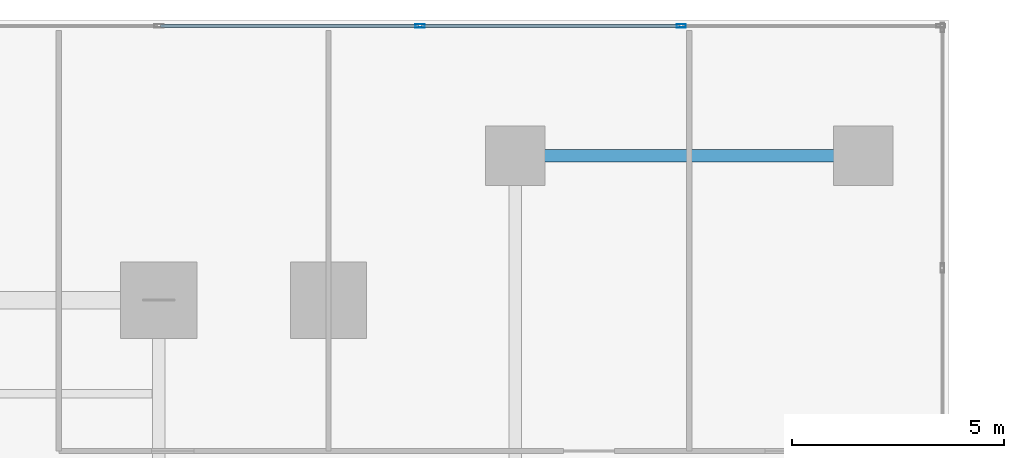
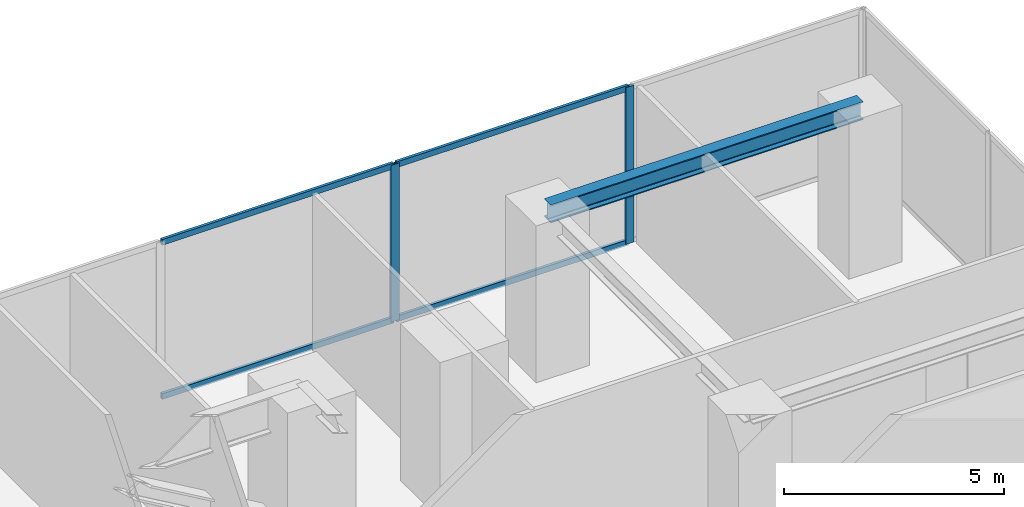
# One storey, part 4 of 18: 6 members, 1 beam, 1 element without a shape of its own.
"""IFC4 building model written with IfcOpenShell, lengths in metres."""

import ifcopenshell
import ifcopenshell.guid

model = None  # the IFC model being written
_history = None  # IfcOwnerHistory: only IFC2X3 demands one
_inside = {}  # id of a spatial element -> (the spatial element, [elements in it])
_under = {}  # id of a project, library or spatial element -> (it, [spatial elements below it])
_declared = {}  # id of a project -> (the project, [libraries it declares])
_typed = {}  # id of a type object -> (the type object, [elements of that type])
_made_of = {}  # id of a material, layer set ... -> (it, [elements and type objects made of it])


def new_model(schema):
    """Start an empty IFC model of exactly this schema.

    Asked for "IFC4X3", IfcOpenShell would pick the latest addendum, in which some entities
    have other attributes; the version numbers below select the first issue.
    IFC2X3 requires an IfcOwnerHistory on every rooted entity: one is made here for all.
    """
    global model, _history
    if schema == "IFC4X3":
        model = ifcopenshell.file(schema_version=(4, 3, 0, 0))
    else:
        model = ifcopenshell.file(schema=schema)
    _inside.clear()
    _under.clear()
    _declared.clear()
    _typed.clear()
    _made_of.clear()
    _history = None
    if model.schema == "IFC2X3":
        org = make("IfcOrganization", Name="unknown")
        user = make(
            "IfcPersonAndOrganization",
            ThePerson=make("IfcPerson", FamilyName="unknown"),
            TheOrganization=org,
        )
        app = make(
            "IfcApplication",
            ApplicationDeveloper=org,
            Version="unknown",
            ApplicationFullName="unknown",
            ApplicationIdentifier="unknown",
        )
        _history = make(
            "IfcOwnerHistory",
            OwningUser=user,
            OwningApplication=app,
            ChangeAction="ADDED",
            CreationDate=0,
        )
    return model


def make(cls, **values):
    """One entity of the class cls with the attributes given. An attribute that is None is left unset."""
    return model.create_entity(
        cls, **{name: value for name, value in values.items() if value is not None}
    )


def rooted(cls, **values):
    """An entity with a GlobalId (a new one), such as an element, a storey or a relation."""
    return make(cls, GlobalId=ifcopenshell.guid.new(), OwnerHistory=_history, **values)


def si_unit(unit_type, name, prefix=None):
    """IfcSIUnit, for example si_unit("LENGTHUNIT", "METRE", prefix="MILLI")."""
    return make("IfcSIUnit", UnitType=unit_type, Prefix=prefix, Name=name)


def assignment(units):
    """IfcUnitAssignment: the units of a project."""
    return None if units is None else make("IfcUnitAssignment", Units=units)


def point(xyz):
    """IfcCartesianPoint."""
    return None if xyz is None else make("IfcCartesianPoint", Coordinates=xyz)


def direction(xyz):
    """IfcDirection."""
    return None if xyz is None else make("IfcDirection", DirectionRatios=xyz)


def frame(location, z_axis=None, x_axis=None):
    """IfcAxis2Placement3D, a coordinate frame: its origin and axes. An axis left out is left unset."""
    return make(
        "IfcAxis2Placement3D",
        Location=point(location),
        Axis=direction(z_axis),
        RefDirection=direction(x_axis),
    )


def frame_2d(location, x_axis=None):
    """IfcAxis2Placement2D, a coordinate frame in the plane: its origin and x axis."""
    return make(
        "IfcAxis2Placement2D", Location=point(location), RefDirection=direction(x_axis)
    )


def origin():
    """The frame at (0, 0, 0) with its axes left unset."""
    return frame((0.0, 0.0, 0.0))


def origin_with_axes():
    """The frame at (0, 0, 0) with the z axis (0, 0, 1) and the x axis (1, 0, 0) written out."""
    return frame((0.0, 0.0, 0.0), z_axis=(0.0, 0.0, 1.0), x_axis=(1.0, 0.0, 0.0))


def origin_2d():
    """The frame at (0, 0) in the plane with its x axis left unset."""
    return frame_2d((0.0, 0.0))


def place(relative_to, where):
    """IfcLocalPlacement: puts the frame where relative to a parent placement (None: the world)."""
    return make(
        "IfcLocalPlacement", PlacementRelTo=relative_to, RelativePlacement=where
    )


def context(
    kind, dimensions, precision=None, world=None, true_north=None, identifier=None
):
    """IfcGeometricRepresentationContext, for example the 3D "Model" context."""
    return make(
        "IfcGeometricRepresentationContext",
        ContextIdentifier=identifier,
        ContextType=kind,
        CoordinateSpaceDimension=dimensions,
        Precision=precision,
        WorldCoordinateSystem=world,
        TrueNorth=true_north,
    )


def subcontext(parent, identifier, kind, view, scale=None):
    """IfcGeometricRepresentationSubContext, for example "Body" below "Model"."""
    return make(
        "IfcGeometricRepresentationSubContext",
        ContextIdentifier=identifier,
        ContextType=kind,
        ParentContext=parent,
        TargetScale=scale,
        TargetView=view,
    )


def project(units=None, contexts=None):
    """IfcProject with its units and contexts."""
    return rooted(
        "IfcProject",
        Name="project",
        RepresentationContexts=contexts,
        UnitsInContext=assignment(units),
    )


def spatial(cls, under=None, at=None, **own):
    """A site, building, storey or space (cls), placed at a placement, below another one or the project."""
    s = rooted(cls, ObjectPlacement=at, **own)
    if under is not None:
        _under.setdefault(under.id(), (under, []))[1].append(s)
    return s


def profile(cls, at=None, kind="AREA", **sizes):
    """A parametric profile (cls). Its sizes go by their IFC names, for example OverallWidth=200.0."""
    return make(cls, ProfileType=kind, Position=at, **sizes)


def hollow_rectangle(**sizes):
    """IfcRectangleHollowProfileDef."""
    return profile("IfcRectangleHollowProfileDef", **sizes)


def i_section(**sizes):
    """IfcIShapeProfileDef."""
    return profile("IfcIShapeProfileDef", **sizes)


def extrude(swept, where, along, depth):
    """IfcExtrudedAreaSolid: the profile swept, set in the frame where, extruded along a direction by depth."""
    return make(
        "IfcExtrudedAreaSolid",
        SweptArea=swept,
        Position=where,
        ExtrudedDirection=direction(along),
        Depth=depth,
    )


def shape(context_of_items, identifier, shape_type, items):
    """IfcShapeRepresentation: the items that make up one representation, for example the "Body"."""
    return make(
        "IfcShapeRepresentation",
        ContextOfItems=context_of_items,
        RepresentationIdentifier=identifier,
        RepresentationType=shape_type,
        Items=items,
    )


def source(mapping_origin, context_of_items, identifier, shape_type, items):
    """IfcRepresentationMap: a shape defined once, which mapped items show again and again."""
    return make(
        "IfcRepresentationMap",
        MappingOrigin=mapping_origin,
        MappedRepresentation=shape(context_of_items, identifier, shape_type, items),
    )


def transform(
    local_origin,
    x_axis=None,
    y_axis=None,
    z_axis=None,
    scale=None,
    scale2=None,
    scale3=None,
    uniform=True,
):
    """IfcCartesianTransformationOperator3D, or its non-uniform kind. x_axis, y_axis, z_axis: its Axis1, 2, 3."""
    if uniform:
        return make(
            "IfcCartesianTransformationOperator3D",
            Axis1=direction(x_axis),
            Axis2=direction(y_axis),
            LocalOrigin=point(local_origin),
            Scale=scale,
            Axis3=direction(z_axis),
        )
    return make(
        "IfcCartesianTransformationOperator3DnonUniform",
        Axis1=direction(x_axis),
        Axis2=direction(y_axis),
        LocalOrigin=point(local_origin),
        Scale=scale,
        Axis3=direction(z_axis),
        Scale2=scale2,
        Scale3=scale3,
    )


def mapped(mapping_source, mapping_target):
    """IfcMappedItem: shows the shape of a source again, moved by a transform."""
    return make(
        "IfcMappedItem", MappingSource=mapping_source, MappingTarget=mapping_target
    )


def material(Name=None, Category=None):
    """IfcMaterial."""
    return make("IfcMaterial", Name=Name, Category=Category)


def layer(
    of_material, thickness, ventilated=None, Name=None, Category=None, Priority=None
):
    """IfcMaterialLayer: one layer of a wall or slab, of a material (None: an air gap)."""
    return make(
        "IfcMaterialLayer",
        Material=of_material,
        LayerThickness=thickness,
        IsVentilated=ventilated,
        Name=Name,
        Category=Category,
        Priority=Priority,
    )


def layer_set(layers, Name=None):
    """IfcMaterialLayerSet."""
    return make("IfcMaterialLayerSet", MaterialLayers=layers, LayerSetName=Name)


def material_profile(
    of_material, cross_section, Name=None, Category=None, Priority=None
):
    """IfcMaterialProfile: a cross section and its material."""
    return make(
        "IfcMaterialProfile",
        Name=Name,
        Material=of_material,
        Profile=cross_section,
        Priority=Priority,
        Category=Category,
    )


def profile_set(profiles, Name=None, composite=None):
    """IfcMaterialProfileSet."""
    return make(
        "IfcMaterialProfileSet",
        Name=Name,
        MaterialProfiles=profiles,
        CompositeProfile=composite,
    )


def made_of(thing, what):
    """Note that an element or type object is made of a material, layer set ...; save() writes the relation."""
    if what is not None:
        _made_of.setdefault(what.id(), (what, []))[1].append(thing)
    return thing


def type_object(cls, material=None, **own):
    """A type object (cls), such as IfcWallType, which elements share."""
    return made_of(rooted(cls, **own), material)


def element(
    cls,
    number,
    at=None,
    inside=None,
    cuts=None,
    type_object=None,
    material=None,
    context=None,
    identifier="Body",
    shape_type=None,
    held_by="IfcProductDefinitionShape",
    body=None,
    shapes=None,
    **own,
):
    """One element of the class cls, such as IfcWall. Its Tag is "e" and its number.

    at: its placement. inside: the storey or other place that contains it. cuts: it is an
    opening in that element (IfcRelVoidsElement). A single representation is given by context,
    identifier, shape_type and body (its items); several are given by shapes. held_by: the class
    of the entity that holds the representations. save() writes the other relations.
    """
    e = rooted(cls, Tag="e%d" % number, ObjectPlacement=at, **own)
    if body is not None:
        shapes = [shape(context, identifier, shape_type, body)]
    if shapes is not None:
        e.Representation = make(held_by, Representations=shapes)
    if inside is not None:
        _inside.setdefault(inside.id(), (inside, []))[1].append(e)
    if cuts is not None:
        rooted(
            "IfcRelVoidsElement", RelatingBuildingElement=cuts, RelatedOpeningElement=e
        )
    if type_object is not None:
        _typed.setdefault(type_object.id(), (type_object, []))[1].append(e)
    return made_of(e, material)


def aggregate(whole, parts):
    """IfcRelAggregates: a whole, such as a stair, and the parts it consists of."""
    return rooted("IfcRelAggregates", RelatingObject=whole, RelatedObjects=parts)


def save(model, path):
    """Write the relations noted so far, then the file.

    IfcRelAggregates (storeys below a building ...), IfcRelContainedInSpatialStructure (elements
    in a storey), IfcRelDefinesByType, IfcRelAssociatesMaterial and IfcRelDeclares: one each for
    every whole, place, type object, material and project.
    """
    for whole, parts in _under.values():
        aggregate(whole, parts)
    for where, things in _inside.values():
        rooted(
            "IfcRelContainedInSpatialStructure",
            RelatedElements=things,
            RelatingStructure=where,
        )
    for kind, things in _typed.values():
        rooted("IfcRelDefinesByType", RelatedObjects=things, RelatingType=kind)
    for what, things in _made_of.values():
        rooted("IfcRelAssociatesMaterial", RelatedObjects=things, RelatingMaterial=what)
    for by, libraries in _declared.values():
        rooted("IfcRelDeclares", RelatingContext=by, RelatedDefinitions=libraries)
    model.write(path)


model = new_model("IFC4")

# Units and contexts
model_context = context("Model", 3, precision=1e-05, world=origin(), true_north=direction((0.0, 1.0)))
body_context = subcontext(model_context, "Body", "Model", "MODEL_VIEW")
ifc_project = project(units=[si_unit("LENGTHUNIT", "METRE"), si_unit("AREAUNIT", "SQUARE_METRE"), si_unit("VOLUMEUNIT", "CUBIC_METRE"), si_unit("PLANEANGLEUNIT", "RADIAN"), si_unit("MASSUNIT", "GRAM", prefix="KILO")], contexts=[model_context])

# Site, building, storey
site_placement = place(None, origin())
site = spatial("IfcSite", under=ifc_project, at=site_placement, CompositionType="ELEMENT")
building_placement = place(site_placement, origin())
building = spatial("IfcBuilding", under=site, at=building_placement, Name="Kolvaren Waterfront Exchange", CompositionType="ELEMENT")
storey_placement = place(building_placement, frame((0.0, 0.0, 24.800048828125)))
storey = spatial("IfcBuildingStorey", under=building, at=storey_placement, Name="L06", CompositionType="ELEMENT", Elevation=24.800048828125)

# Beam
ifc_material_1 = material(Name="Steel S355", Category="steel")
ifc_material_profile_1 = material_profile(ifc_material_1, i_section(OverallWidth=0.300048828125, OverallDepth=0.5, WebThickness=0.014404296875, FlangeThickness=0.028076171875, FilletRadius=0.027099609375, at=origin_2d()), Name="HEB500")
ifc_profile_set_1 = profile_set([ifc_material_profile_1], Name="Steel S355")
beam_type = type_object("IfcBeamType", Name="STR-BM-HEB500", PredefinedType="BEAM", material=ifc_profile_set_1)
beam_placement = place(storey_placement, frame((27.199951171875, 48.0, 4.099853515625), z_axis=(1.0, 0.0, 0.0), x_axis=(0.0, 1.0, 0.0)))
element("IfcBeam", 1, at=beam_placement, inside=storey, type_object=beam_type, Name="L06 podium north girder 2", PredefinedType="BEAM", context=body_context, shape_type="SweptSolid", body=[
    extrude(i_section(OverallWidth=0.300048828125, OverallDepth=0.5, WebThickness=0.014404296875, FlangeThickness=0.028076171875, FilletRadius=0.027099609375, at=origin_2d()), origin(), (0.0, 0.0, 1.0), 8.199951171875),
])

# Curtain wall, members
ifc_material_2 = material(Name="Anodised bronze aluminium 6063-T6", Category="aluminium")
ifc_layer = layer(ifc_material_2, 0.219970703125, Name="Anodised bronze aluminium 6063-T6")
ifc_layer_set = layer_set([ifc_layer], Name="Anodised bronze aluminium 6063-T6")
curtain_wall_type = type_object("IfcCurtainWallType", Name="ARC-CW-SYS1", PredefinedType="USERDEFINED", material=ifc_layer_set)
curtain_wall_placement = place(storey_placement, origin())
curtain_wall = element("IfcCurtainWall", 2, at=curtain_wall_placement, inside=storey, type_object=curtain_wall_type, Name="L06 stick curtain wall CW1 (CW-L06-N2)", ObjectType="STICK CURTAIN WALL", PredefinedType="USERDEFINED")
ifc_material_3 = material(Name="Anodised aluminium 6063-T6", Category="aluminium")
ifc_material_profile_2 = material_profile(ifc_material_3, hollow_rectangle(XDim=0.074951171875, YDim=0.159912109375, WallThickness=0.00439453125, at=origin_2d()), Name="ALU-TRN-160x75x4.5")
ifc_profile_set_2 = profile_set([ifc_material_profile_2], Name="Anodised aluminium 6063-T6")
member_type_1 = type_object("IfcMemberType", Name="ARC-CWT-160", PredefinedType="USERDEFINED", material=ifc_profile_set_2)
shared_shape_1 = source(origin_with_axes(), body_context, "Body", "SweptSolid", [
    extrude(hollow_rectangle(XDim=0.074951171875, YDim=0.159912109375, WallThickness=0.00439453125, at=origin_2d()), origin(), (0.0, 0.0, 1.0), 6.07177734375),
])
member_1_placement = place(storey_placement, frame((31.068359375, 51.06005859375, 0.037353515625), z_axis=(-1.0, 0.0, 0.0), x_axis=(0.0, -1.0, 0.0)))
member_1 = element("IfcMember", 3, at=member_1_placement, type_object=member_type_1, Name="CW1 transom 2.1", ObjectType="TRANSOM", PredefinedType="USERDEFINED", context=body_context, shape_type="MappedRepresentation", body=[
    mapped(shared_shape_1, transform((0.0, 0.0, 0.0), x_axis=(1.0, 0.0, 0.0), y_axis=(0.0, 1.0, 0.0), z_axis=(0.0, 0.0, 1.0), scale=1.0)),
])
member_2_placement = place(storey_placement, frame((31.068359375, 51.06005859375, 4.3125), z_axis=(-1.0, 0.0, 0.0), x_axis=(0.0, -1.0, 0.0)))
member_2 = element("IfcMember", 4, at=member_2_placement, type_object=member_type_1, Name="CW1 transom 2.2", ObjectType="TRANSOM", PredefinedType="USERDEFINED", context=body_context, shape_type="MappedRepresentation", body=[
    mapped(shared_shape_1, transform((0.0, 0.0, 0.0), x_axis=(1.0, 0.0, 0.0), y_axis=(0.0, 1.0, 0.0), z_axis=(0.0, 0.0, 1.0), scale=1.0)),
])
member_3_placement = place(storey_placement, frame((24.916748046875, 51.06005859375, 0.037353515625), z_axis=(-1.0, 0.0, 0.0), x_axis=(0.0, -1.0, 0.0)))
member_3 = element("IfcMember", 5, at=member_3_placement, type_object=member_type_1, Name="CW1 transom 3.1", ObjectType="TRANSOM", PredefinedType="USERDEFINED", context=body_context, shape_type="MappedRepresentation", body=[
    mapped(shared_shape_1, transform((0.0, 0.0, 0.0), x_axis=(1.0, 0.0, 0.0), y_axis=(0.0, 1.0, 0.0), z_axis=(0.0, 0.0, 1.0), scale=1.0)),
])
member_4_placement = place(storey_placement, frame((24.916748046875, 51.06005859375, 4.3125), z_axis=(-1.0, 0.0, 0.0), x_axis=(0.0, -1.0, 0.0)))
member_4 = element("IfcMember", 6, at=member_4_placement, type_object=member_type_1, Name="CW1 transom 3.2", ObjectType="TRANSOM", PredefinedType="USERDEFINED", context=body_context, shape_type="MappedRepresentation", body=[
    mapped(shared_shape_1, transform((0.0, 0.0, 0.0), x_axis=(1.0, 0.0, 0.0), y_axis=(0.0, 1.0, 0.0), z_axis=(0.0, 0.0, 1.0), scale=1.0)),
])
ifc_material_profile_3 = material_profile(ifc_material_3, hollow_rectangle(XDim=0.080078125, YDim=0.219970703125, WallThickness=0.0048828125, at=origin_2d()), Name="ALU-MUL-220x80x5")
ifc_profile_set_3 = profile_set([ifc_material_profile_3], Name="Anodised aluminium 6063-T6")
member_type_2 = type_object("IfcMemberType", Name="ARC-CWM-220", PredefinedType="MULLION", material=ifc_profile_set_3)
shared_shape_2 = source(origin_with_axes(), body_context, "Body", "SweptSolid", [
    extrude(hollow_rectangle(XDim=0.080078125, YDim=0.219970703125, WallThickness=0.0048828125, at=origin_2d()), origin(), (0.0, 0.0, 1.0), 4.349853515625),
])
member_5_placement = place(storey_placement, frame((31.1083984375, 51.06005859375, 0.0), z_axis=(0.0, 0.0, 1.0), x_axis=(0.0, -1.0, 0.0)))
member_5 = element("IfcMember", 7, at=member_5_placement, type_object=member_type_2, Name="CW1 mullion 2", PredefinedType="MULLION", context=body_context, shape_type="MappedRepresentation", body=[
    mapped(shared_shape_2, transform((0.0, 0.0, 0.0), x_axis=(1.0, 0.0, 0.0), y_axis=(0.0, 1.0, 0.0), z_axis=(0.0, 0.0, 1.0), scale=1.0)),
])
member_6_placement = place(storey_placement, frame((24.956787109375, 51.06005859375, 0.0), z_axis=(0.0, 0.0, 1.0), x_axis=(0.0, -1.0, 0.0)))
member_6 = element("IfcMember", 8, at=member_6_placement, type_object=member_type_2, Name="CW1 mullion 3", PredefinedType="MULLION", context=body_context, shape_type="MappedRepresentation", body=[
    mapped(shared_shape_2, transform((0.0, 0.0, 0.0), x_axis=(1.0, 0.0, 0.0), y_axis=(0.0, 1.0, 0.0), z_axis=(0.0, 0.0, 1.0), scale=1.0)),
])
aggregate(curtain_wall, [member_5, member_6, member_1, member_2, member_3, member_4])

save(model, "model.ifc")
